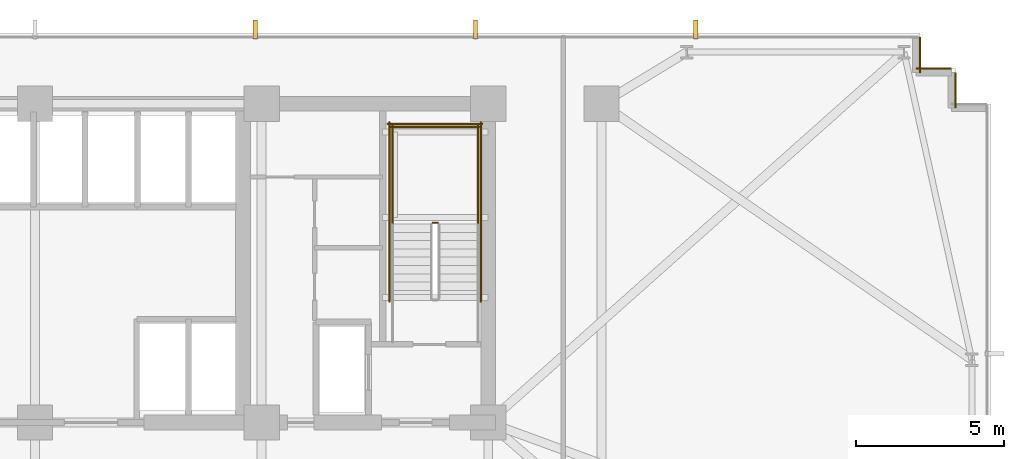
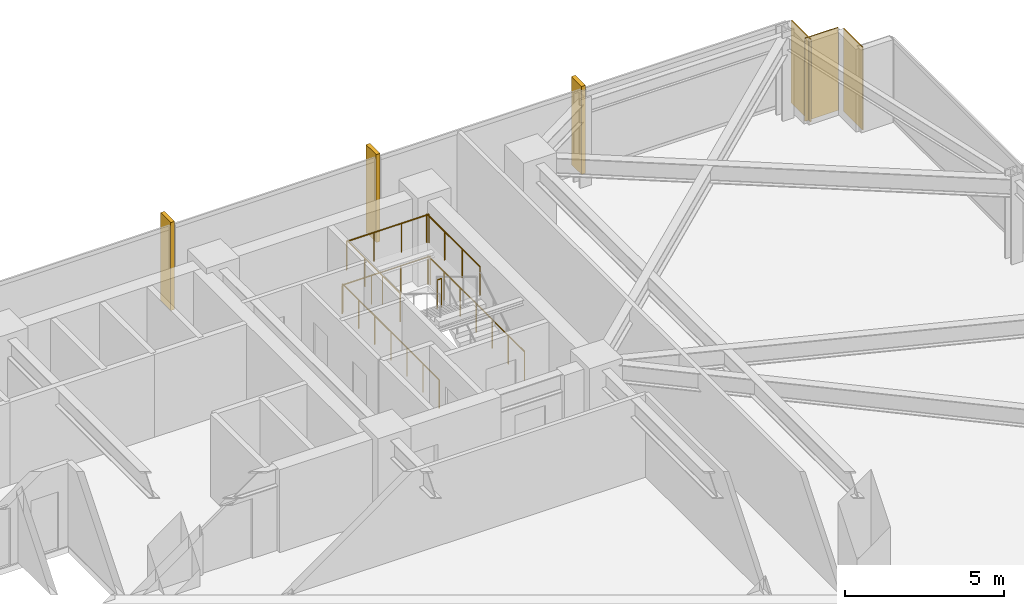
# One storey, part 31 of 32: 7 railings, 3 coverings, 3 shading devices.
"""IFC4 building model written with IfcOpenShell, lengths in metres."""

import ifcopenshell
import ifcopenshell.guid

model = None  # the IFC model being written
_history = None  # IfcOwnerHistory: only IFC2X3 demands one
_inside = {}  # id of a spatial element -> (the spatial element, [elements in it])
_under = {}  # id of a project, library or spatial element -> (it, [spatial elements below it])
_declared = {}  # id of a project -> (the project, [libraries it declares])
_typed = {}  # id of a type object -> (the type object, [elements of that type])
_made_of = {}  # id of a material, layer set ... -> (it, [elements and type objects made of it])


def new_model(schema):
    """Start an empty IFC model of exactly this schema.

    Asked for "IFC4X3", IfcOpenShell would pick the latest addendum, in which some entities
    have other attributes; the version numbers below select the first issue.
    IFC2X3 requires an IfcOwnerHistory on every rooted entity: one is made here for all.
    """
    global model, _history
    if schema == "IFC4X3":
        model = ifcopenshell.file(schema_version=(4, 3, 0, 0))
    else:
        model = ifcopenshell.file(schema=schema)
    _inside.clear()
    _under.clear()
    _declared.clear()
    _typed.clear()
    _made_of.clear()
    _history = None
    if model.schema == "IFC2X3":
        org = make("IfcOrganization", Name="unknown")
        user = make(
            "IfcPersonAndOrganization",
            ThePerson=make("IfcPerson", FamilyName="unknown"),
            TheOrganization=org,
        )
        app = make(
            "IfcApplication",
            ApplicationDeveloper=org,
            Version="unknown",
            ApplicationFullName="unknown",
            ApplicationIdentifier="unknown",
        )
        _history = make(
            "IfcOwnerHistory",
            OwningUser=user,
            OwningApplication=app,
            ChangeAction="ADDED",
            CreationDate=0,
        )
    return model


def make(cls, **values):
    """One entity of the class cls with the attributes given. An attribute that is None is left unset."""
    return model.create_entity(
        cls, **{name: value for name, value in values.items() if value is not None}
    )


def rooted(cls, **values):
    """An entity with a GlobalId (a new one), such as an element, a storey or a relation."""
    return make(cls, GlobalId=ifcopenshell.guid.new(), OwnerHistory=_history, **values)


def si_unit(unit_type, name, prefix=None):
    """IfcSIUnit, for example si_unit("LENGTHUNIT", "METRE", prefix="MILLI")."""
    return make("IfcSIUnit", UnitType=unit_type, Prefix=prefix, Name=name)


def assignment(units):
    """IfcUnitAssignment: the units of a project."""
    return None if units is None else make("IfcUnitAssignment", Units=units)


def point(xyz):
    """IfcCartesianPoint."""
    return None if xyz is None else make("IfcCartesianPoint", Coordinates=xyz)


def direction(xyz):
    """IfcDirection."""
    return None if xyz is None else make("IfcDirection", DirectionRatios=xyz)


def frame(location, z_axis=None, x_axis=None):
    """IfcAxis2Placement3D, a coordinate frame: its origin and axes. An axis left out is left unset."""
    return make(
        "IfcAxis2Placement3D",
        Location=point(location),
        Axis=direction(z_axis),
        RefDirection=direction(x_axis),
    )


def frame_2d(location, x_axis=None):
    """IfcAxis2Placement2D, a coordinate frame in the plane: its origin and x axis."""
    return make(
        "IfcAxis2Placement2D", Location=point(location), RefDirection=direction(x_axis)
    )


def origin():
    """The frame at (0, 0, 0) with its axes left unset."""
    return frame((0.0, 0.0, 0.0))


def origin_2d():
    """The frame at (0, 0) in the plane with its x axis left unset."""
    return frame_2d((0.0, 0.0))


def place(relative_to, where):
    """IfcLocalPlacement: puts the frame where relative to a parent placement (None: the world)."""
    return make(
        "IfcLocalPlacement", PlacementRelTo=relative_to, RelativePlacement=where
    )


def context(
    kind, dimensions, precision=None, world=None, true_north=None, identifier=None
):
    """IfcGeometricRepresentationContext, for example the 3D "Model" context."""
    return make(
        "IfcGeometricRepresentationContext",
        ContextIdentifier=identifier,
        ContextType=kind,
        CoordinateSpaceDimension=dimensions,
        Precision=precision,
        WorldCoordinateSystem=world,
        TrueNorth=true_north,
    )


def subcontext(parent, identifier, kind, view, scale=None):
    """IfcGeometricRepresentationSubContext, for example "Body" below "Model"."""
    return make(
        "IfcGeometricRepresentationSubContext",
        ContextIdentifier=identifier,
        ContextType=kind,
        ParentContext=parent,
        TargetScale=scale,
        TargetView=view,
    )


def project(units=None, contexts=None):
    """IfcProject with its units and contexts."""
    return rooted(
        "IfcProject",
        Name="project",
        RepresentationContexts=contexts,
        UnitsInContext=assignment(units),
    )


def spatial(cls, under=None, at=None, **own):
    """A site, building, storey or space (cls), placed at a placement, below another one or the project."""
    s = rooted(cls, ObjectPlacement=at, **own)
    if under is not None:
        _under.setdefault(under.id(), (under, []))[1].append(s)
    return s


def profile(cls, at=None, kind="AREA", **sizes):
    """A parametric profile (cls). Its sizes go by their IFC names, for example OverallWidth=200.0."""
    return make(cls, ProfileType=kind, Position=at, **sizes)


def rectangle(**sizes):
    """IfcRectangleProfileDef."""
    return profile("IfcRectangleProfileDef", **sizes)


def circle(**sizes):
    """IfcCircleProfileDef."""
    return profile("IfcCircleProfileDef", **sizes)


def extrude(swept, where, along, depth):
    """IfcExtrudedAreaSolid: the profile swept, set in the frame where, extruded along a direction by depth."""
    return make(
        "IfcExtrudedAreaSolid",
        SweptArea=swept,
        Position=where,
        ExtrudedDirection=direction(along),
        Depth=depth,
    )


def shape(context_of_items, identifier, shape_type, items):
    """IfcShapeRepresentation: the items that make up one representation, for example the "Body"."""
    return make(
        "IfcShapeRepresentation",
        ContextOfItems=context_of_items,
        RepresentationIdentifier=identifier,
        RepresentationType=shape_type,
        Items=items,
    )


def material(Name=None, Category=None):
    """IfcMaterial."""
    return make("IfcMaterial", Name=Name, Category=Category)


def layer(
    of_material, thickness, ventilated=None, Name=None, Category=None, Priority=None
):
    """IfcMaterialLayer: one layer of a wall or slab, of a material (None: an air gap)."""
    return make(
        "IfcMaterialLayer",
        Material=of_material,
        LayerThickness=thickness,
        IsVentilated=ventilated,
        Name=Name,
        Category=Category,
        Priority=Priority,
    )


def layer_set(layers, Name=None):
    """IfcMaterialLayerSet."""
    return make("IfcMaterialLayerSet", MaterialLayers=layers, LayerSetName=Name)


def made_of(thing, what):
    """Note that an element or type object is made of a material, layer set ...; save() writes the relation."""
    if what is not None:
        _made_of.setdefault(what.id(), (what, []))[1].append(thing)
    return thing


def type_object(cls, material=None, **own):
    """A type object (cls), such as IfcWallType, which elements share."""
    return made_of(rooted(cls, **own), material)


def element(
    cls,
    number,
    at=None,
    inside=None,
    cuts=None,
    type_object=None,
    material=None,
    context=None,
    identifier="Body",
    shape_type=None,
    held_by="IfcProductDefinitionShape",
    body=None,
    shapes=None,
    **own,
):
    """One element of the class cls, such as IfcWall. Its Tag is "e" and its number.

    at: its placement. inside: the storey or other place that contains it. cuts: it is an
    opening in that element (IfcRelVoidsElement). A single representation is given by context,
    identifier, shape_type and body (its items); several are given by shapes. held_by: the class
    of the entity that holds the representations. save() writes the other relations.
    """
    e = rooted(cls, Tag="e%d" % number, ObjectPlacement=at, **own)
    if body is not None:
        shapes = [shape(context, identifier, shape_type, body)]
    if shapes is not None:
        e.Representation = make(held_by, Representations=shapes)
    if inside is not None:
        _inside.setdefault(inside.id(), (inside, []))[1].append(e)
    if cuts is not None:
        rooted(
            "IfcRelVoidsElement", RelatingBuildingElement=cuts, RelatedOpeningElement=e
        )
    if type_object is not None:
        _typed.setdefault(type_object.id(), (type_object, []))[1].append(e)
    return made_of(e, material)


def aggregate(whole, parts):
    """IfcRelAggregates: a whole, such as a stair, and the parts it consists of."""
    return rooted("IfcRelAggregates", RelatingObject=whole, RelatedObjects=parts)


def save(model, path):
    """Write the relations noted so far, then the file.

    IfcRelAggregates (storeys below a building ...), IfcRelContainedInSpatialStructure (elements
    in a storey), IfcRelDefinesByType, IfcRelAssociatesMaterial and IfcRelDeclares: one each for
    every whole, place, type object, material and project.
    """
    for whole, parts in _under.values():
        aggregate(whole, parts)
    for where, things in _inside.values():
        rooted(
            "IfcRelContainedInSpatialStructure",
            RelatedElements=things,
            RelatingStructure=where,
        )
    for kind, things in _typed.values():
        rooted("IfcRelDefinesByType", RelatedObjects=things, RelatingType=kind)
    for what, things in _made_of.values():
        rooted("IfcRelAssociatesMaterial", RelatedObjects=things, RelatingMaterial=what)
    for by, libraries in _declared.values():
        rooted("IfcRelDeclares", RelatingContext=by, RelatedDefinitions=libraries)
    model.write(path)


model = new_model("IFC4")

# Units and contexts
model_context = context("Model", 3, precision=1e-05, world=origin(), true_north=direction((0.0, 1.0)))
body_context = subcontext(model_context, "Body", "Model", "MODEL_VIEW")
ifc_project = project(units=[si_unit("LENGTHUNIT", "METRE"), si_unit("AREAUNIT", "SQUARE_METRE"), si_unit("VOLUMEUNIT", "CUBIC_METRE"), si_unit("PLANEANGLEUNIT", "RADIAN"), si_unit("MASSUNIT", "GRAM", prefix="KILO")], contexts=[model_context])

# Site, building, storey
site_placement = place(None, origin())
site = spatial("IfcSite", under=ifc_project, at=site_placement, CompositionType="ELEMENT")
building_placement = place(site_placement, origin())
building = spatial("IfcBuilding", under=site, at=building_placement, Name="Yelkora Congress Tower", CompositionType="ELEMENT")
storey_placement = place(building_placement, frame((0.0, 0.0, 33.800048828125)))
storey = spatial("IfcBuildingStorey", under=building, at=storey_placement, Name="L07", CompositionType="ELEMENT", Elevation=33.800048828125)

# Coverings
ifc_material_1 = material(Name="Anatolian bush-hammered limestone", Category="masonry")
ifc_layer_1 = layer(ifc_material_1, 0.0400390625)
ifc_layer_set_1 = layer_set([ifc_layer_1], Name="Anatolian bush-hammered limestone")
covering_type = type_object("IfcCoveringType", Name="COV-CLAD-SPANDREL-40", PredefinedType="CLADDING", material=ifc_layer_set_1)
for number, where, z_axis, x_axis, name in (
    (1, (68.39501953125, 48.4599609375, 0.0), (0.0, 0.0, 1.0), (0.0, -1.0, 0.0), "L07 Anatolian Limestone Cladding EW-L07-SR11"),
    (2, (68.260009765625, 47.39501953125, 0.0), (0.0, 0.0, 1.0), (1.0, 0.0, 0.0), "L07 Anatolian Limestone Cladding EW-L07-SR12"),
    (3, (69.594970703125, 47.260009765625, 0.0), (0.0, 0.0, 1.0), (0.0, -1.0, 0.0), "L07 Anatolian Limestone Cladding EW-L07-SR13"),
):
    element("IfcCovering", number, at=place(storey_placement, frame(where, z_axis=z_axis, x_axis=x_axis)), inside=storey, type_object=covering_type, Name=name, PredefinedType="CLADDING", context=body_context, shape_type="SweptSolid", body=[
        extrude(rectangle(XDim=1.199951171875, YDim=0.0400390625, at=frame_2d((0.60009765625, 0.0))), origin(), (0.0, 0.0, 1.0), 3.179931640625),
    ])

# Railings
ifc_material_2 = material(Name="Painted galvanised steel stair well guard with vertical infill", Category="steel")
ifc_layer_2 = layer(ifc_material_2, 0.06005859375)
ifc_layer_set_2 = layer_set([ifc_layer_2], Name="Painted galvanised steel stair well guard with vertical infill")
railing_type = type_object("IfcRailingType", Name="RAIL-STAIR-GUARD-1120", PredefinedType="GUARDRAIL", material=ifc_layer_set_2)
railing_1_placement = place(storey_placement, frame((52.0400390625, 42.169921875, 1.699951171875)))
element("IfcRailing", 4, at=railing_1_placement, inside=storey, type_object=railing_type, Name="ST-02 L07 Stair Well Guardrail 2", PredefinedType="GUARDRAIL", context=body_context, shape_type="SweptSolid", body=[
    extrude(circle(Radius=0.02392578125, at=origin_2d()), frame((0.0, 0.0, 1.09619140625), z_axis=(-1.0, 0.0, 0.0), x_axis=(0.0, -1.0, 0.0)), (0.0, 0.0, 1.0), 0.16015625),
    extrude(circle(Radius=0.02099609375, at=origin_2d()), origin(), (0.0, 0.0, 1.0), 1.072021484375),
    extrude(circle(Radius=0.02099609375, at=origin_2d()), frame((-0.16015625, 0.0, 0.0)), (0.0, 0.0, 1.0), 1.072021484375),
])
for number, where, name in (
    (5, (53.409912109375, 42.1201171875, 1.699951171875), "ST-02 L07 Stair Well Guardrail 3"),
    (6, (50.510009765625, 42.1201171875, 1.699951171875), "ST-02 L07 Stair Well Guardrail 4"),
):
    element("IfcRailing", number, at=place(storey_placement, frame(where)), inside=storey, type_object=railing_type, Name=name, PredefinedType="GUARDRAIL", context=body_context, shape_type="SweptSolid", body=[
        extrude(circle(Radius=0.02392578125, at=origin_2d()), frame((0.0, 0.0, 1.09619140625), z_axis=(0.0, 1.0, 0.0), x_axis=(-1.0, 0.0, 0.0)), (0.0, 0.0, 1.0), 3.349853515625),
        extrude(circle(Radius=0.02099609375, at=origin_2d()), origin(), (0.0, 0.0, 1.0), 1.072021484375),
        extrude(circle(Radius=0.02099609375, at=origin_2d()), frame((0.0, 1.11669921875, 0.0)), (0.0, 0.0, 1.0), 1.072021484375),
        extrude(circle(Radius=0.02099609375, at=origin_2d()), frame((0.0, 2.233154296875, 0.0)), (0.0, 0.0, 1.0), 1.072021484375),
        extrude(circle(Radius=0.02099609375, at=origin_2d()), frame((0.0, 3.349853515625, 0.0)), (0.0, 0.0, 1.0), 1.072021484375),
    ])
railing_2_placement = place(storey_placement, frame((53.4599609375, 45.419921875, 1.699951171875)))
element("IfcRailing", 7, at=railing_2_placement, inside=storey, type_object=railing_type, Name="ST-02 L07 Stair Well Guardrail 5", PredefinedType="GUARDRAIL", context=body_context, shape_type="SweptSolid", body=[
    extrude(circle(Radius=0.02392578125, at=origin_2d()), frame((0.0, 0.0, 1.09619140625), z_axis=(-1.0, 0.0, 0.0), x_axis=(0.0, -1.0, 0.0)), (0.0, 0.0, 1.0), 3.0),
    extrude(circle(Radius=0.02099609375, at=origin_2d()), origin(), (0.0, 0.0, 1.0), 1.072021484375),
    extrude(circle(Radius=0.02099609375, at=origin_2d()), frame((-1.0, 0.0, 0.0)), (0.0, 0.0, 1.0), 1.072021484375),
    extrude(circle(Radius=0.02099609375, at=origin_2d()), frame((-2.0, 0.0, 0.0)), (0.0, 0.0, 1.0), 1.072021484375),
    extrude(circle(Radius=0.02099609375, at=origin_2d()), frame((-3.0, 0.0, 0.0)), (0.0, 0.0, 1.0), 1.072021484375),
])
for number, where, name in (
    (8, (53.510009765625, 39.5, 0.0), "ST-02 L07 Stair Well Guardrail 10"),
    (9, (50.409912109375, 39.5, 0.0), "ST-02 L07 Stair Well Guardrail 11"),
):
    element("IfcRailing", number, at=place(storey_placement, frame(where)), inside=storey, type_object=railing_type, Name=name, PredefinedType="GUARDRAIL", context=body_context, shape_type="SweptSolid", body=[
        extrude(circle(Radius=0.02392578125, at=origin_2d()), frame((0.0, 0.0, 1.09619140625), z_axis=(0.0, 1.0, 0.0), x_axis=(-1.0, 0.0, 0.0)), (0.0, 0.0, 1.0), 6.070068359375),
        extrude(circle(Radius=0.02099609375, at=origin_2d()), origin(), (0.0, 0.0, 1.0), 1.072021484375),
        extrude(circle(Radius=0.02099609375, at=origin_2d()), frame((0.0, 1.01171875, 0.0)), (0.0, 0.0, 1.0), 1.072021484375),
        extrude(circle(Radius=0.02099609375, at=origin_2d()), frame((0.0, 2.0234375, 0.0)), (0.0, 0.0, 1.0), 1.072021484375),
        extrude(circle(Radius=0.02099609375, at=origin_2d()), frame((0.0, 3.03515625, 0.0)), (0.0, 0.0, 1.0), 1.072021484375),
        extrude(circle(Radius=0.02099609375, at=origin_2d()), frame((0.0, 4.046630859375, 0.0)), (0.0, 0.0, 1.0), 1.072021484375),
        extrude(circle(Radius=0.02099609375, at=origin_2d()), frame((0.0, 5.058349609375, 0.0)), (0.0, 0.0, 1.0), 1.072021484375),
        extrude(circle(Radius=0.02099609375, at=origin_2d()), frame((0.0, 6.070068359375, 0.0)), (0.0, 0.0, 1.0), 1.072021484375),
    ])
railing_3_placement = place(storey_placement, frame((53.56005859375, 45.52001953125, 0.0)))
element("IfcRailing", 10, at=railing_3_placement, inside=storey, type_object=railing_type, Name="ST-02 L07 Stair Well Guardrail 12", PredefinedType="GUARDRAIL", context=body_context, shape_type="SweptSolid", body=[
    extrude(circle(Radius=0.02392578125, at=origin_2d()), frame((0.0, 0.0, 1.09619140625), z_axis=(-1.0, 0.0, 0.0), x_axis=(0.0, -1.0, 0.0)), (0.0, 0.0, 1.0), 3.199951171875),
    extrude(circle(Radius=0.02099609375, at=origin_2d()), origin(), (0.0, 0.0, 1.0), 1.072021484375),
    extrude(circle(Radius=0.02099609375, at=origin_2d()), frame((-1.066650390625, 0.0, 0.0)), (0.0, 0.0, 1.0), 1.072021484375),
    extrude(circle(Radius=0.02099609375, at=origin_2d()), frame((-2.13330078125, 0.0, 0.0)), (0.0, 0.0, 1.0), 1.072021484375),
    extrude(circle(Radius=0.02099609375, at=origin_2d()), frame((-3.199951171875, 0.0, 0.0)), (0.0, 0.0, 1.0), 1.072021484375),
])

# Shading devices
ifc_material_3 = material(Name="Champagne anodised aluminium", Category="aluminium")
ifc_layer_3 = layer(ifc_material_3, 3.39990234375)
ifc_layer_set_3 = layer_set([ifc_layer_3], Name="Champagne anodised aluminium")
shading_device_type = type_object("IfcShadingDeviceType", Name="SHD-FIN-ALU-640", PredefinedType="USERDEFINED", material=ifc_layer_set_3)
for number, where, z_axis, x_axis, name in (
    (11, (45.864990234375, 48.719970703125, -0.030029296875), (0.0, 0.0, 1.0), (1.0, 0.0, 0.0), "L07 Vertical Anodised Solar Fin 10-5"),
    (12, (53.330078125, 48.719970703125, -0.030029296875), (0.0, 0.0, 1.0), (1.0, 0.0, 0.0), "L07 Vertical Anodised Solar Fin 10-6"),
    (13, (60.794921875, 48.719970703125, -0.030029296875), (0.0, 0.0, 1.0), (1.0, 0.0, 0.0), "L07 Vertical Anodised Solar Fin 10-7"),
):
    element("IfcShadingDevice", number, at=place(storey_placement, frame(where, z_axis=z_axis, x_axis=x_axis)), inside=storey, type_object=shading_device_type, Name=name, ObjectType="FIN", PredefinedType="USERDEFINED", context=body_context, shape_type="SweptSolid", body=[
        extrude(rectangle(XDim=0.139892578125, YDim=0.639892578125, at=origin_2d()), origin(), (0.0, 0.0, 1.0), 3.3798828125),
    ])

save(model, "model.ifc")
